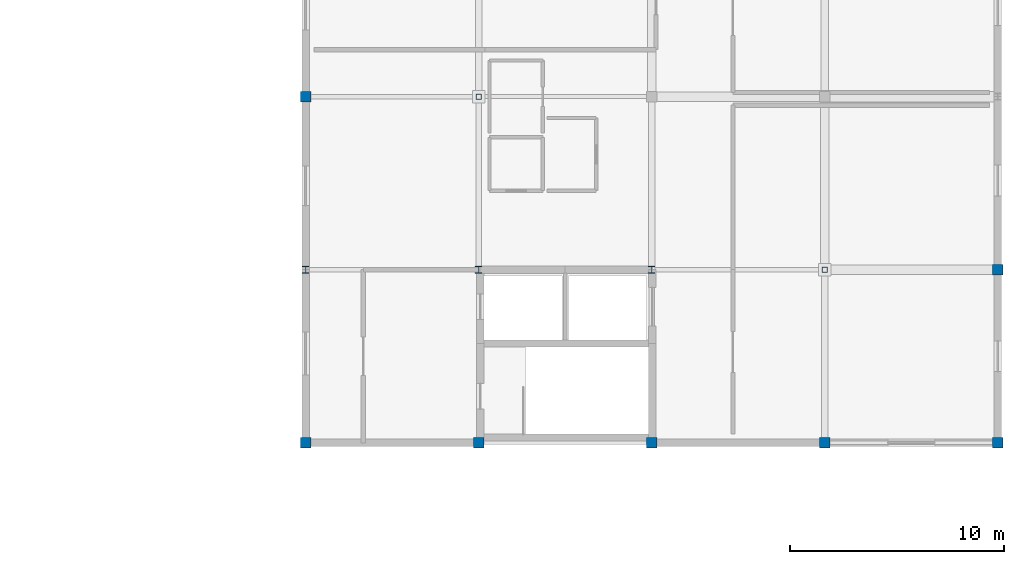
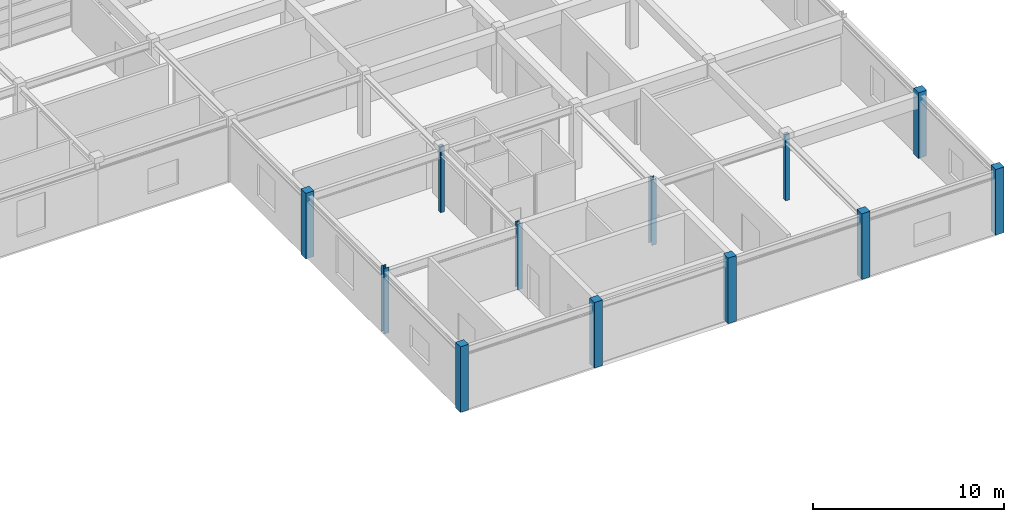
# One storey, part 3 of 19: 12 columns.
"""IFC4 building model written with IfcOpenShell, lengths in metres."""

from ifc_helpers import new_model, si_unit, direction, frame, origin, origin_2d, place, context, subcontext, project, spatial, rectangle, hollow_rectangle, i_section, extrude, material, material_profile, profile_set, type_object, element, save


model = new_model("IFC4")

# Units and contexts
model_context = context("Model", 3, precision=1e-05, world=origin(), true_north=direction((0.0, 1.0)))
body_context = subcontext(model_context, "Body", "Model", "MODEL_VIEW")
ifc_project = project(units=[si_unit("LENGTHUNIT", "METRE"), si_unit("AREAUNIT", "SQUARE_METRE"), si_unit("VOLUMEUNIT", "CUBIC_METRE"), si_unit("PLANEANGLEUNIT", "RADIAN"), si_unit("MASSUNIT", "GRAM", prefix="KILO")], contexts=[model_context])

# Site, building, storey
site_placement = place(None, origin())
site = spatial("IfcSite", under=ifc_project, at=site_placement, CompositionType="ELEMENT")
building_placement = place(site_placement, origin())
building = spatial("IfcBuilding", under=site, at=building_placement, Name="Parian Resonance Hall", CompositionType="ELEMENT")
storey_placement = place(building_placement, frame((0.0, 0.0, 23.39990234375)))
storey = spatial("IfcBuildingStorey", under=building, at=storey_placement, Name="L05", CompositionType="ELEMENT", Elevation=23.39990234375)

# Columns
ifc_material_1 = material(Name="Concrete C40/50", Category="concrete")
ifc_material_profile_1 = material_profile(ifc_material_1, rectangle(XDim=0.5, YDim=0.5, at=origin_2d()), Name="RC-COL-500x500")
ifc_profile_set_1 = profile_set([ifc_material_profile_1], Name="Concrete C40/50")
column_type_1 = type_object("IfcColumnType", Name="COL-RC500", PredefinedType="COLUMN", material=ifc_profile_set_1)
for number, where, z_axis, x_axis, name in (
    (1, (113.39990234375, 48.60009765625, 0.0), (0.0, 0.0, 1.0), (1.0, 0.0, 0.0), "Column G15-07 L05"),
    (2, (113.39990234375, 64.800048828125, 0.0), (0.0, 0.0, 1.0), (1.0, 0.0, 0.0), "Column G15-09 L05"),
    (3, (121.5, 48.60009765625, 0.0), (0.0, 0.0, 1.0), (1.0, 0.0, 0.0), "Column G16-07 L05"),
    (4, (129.60009765625, 48.60009765625, 0.0), (0.0, 0.0, 1.0), (1.0, 0.0, 0.0), "Column G17-07 L05"),
    (5, (137.699951171875, 48.60009765625, 0.0), (0.0, 0.0, 1.0), (1.0, 0.0, 0.0), "Column G18-07 L05"),
    (6, (145.800048828125, 48.60009765625, 0.0), (0.0, 0.0, 1.0), (1.0, 0.0, 0.0), "Column G19-07 L05"),
    (7, (145.800048828125, 56.699951171875, 0.0), (0.0, 0.0, 1.0), (1.0, 0.0, 0.0), "Column G19-08 L05"),
):
    element("IfcColumn", number, at=place(storey_placement, frame(where, z_axis=z_axis, x_axis=x_axis)), inside=storey, type_object=column_type_1, Name=name, PredefinedType="COLUMN", context=body_context, shape_type="SweptSolid", body=[
        extrude(rectangle(XDim=0.5, YDim=0.5, at=origin_2d()), origin(), (0.0, 0.0, 1.0), 4.2001953125),
    ])
ifc_material_2 = material(Name="Hollow structural steel S355", Category="steel")
ifc_material_profile_2 = material_profile(ifc_material_2, hollow_rectangle(XDim=0.25, YDim=0.25, WallThickness=0.012451171875, InnerFilletRadius=0.012451171875, OuterFilletRadius=0.02490234375, at=origin_2d()), Name="SHS250x250x12.5")
ifc_profile_set_2 = profile_set([ifc_material_profile_2], Name="Hollow structural steel S355")
column_type_2 = type_object("IfcColumnType", Name="COL-SHS250", PredefinedType="COLUMN", material=ifc_profile_set_2)
for number, where, z_axis, x_axis, name in (
    (8, (121.5, 64.800048828125, 0.0), (0.0, 0.0, 1.0), (1.0, 0.0, 0.0), "Column G16-09 L05"),
    (9, (137.699951171875, 56.699951171875, 0.0), (0.0, 0.0, 1.0), (1.0, 0.0, 0.0), "Column G18-08 L05"),
):
    element("IfcColumn", number, at=place(storey_placement, frame(where, z_axis=z_axis, x_axis=x_axis)), inside=storey, type_object=column_type_2, Name=name, PredefinedType="COLUMN", context=body_context, shape_type="SweptSolid", body=[
        extrude(hollow_rectangle(XDim=0.25, YDim=0.25, WallThickness=0.012451171875, InnerFilletRadius=0.012451171875, OuterFilletRadius=0.02490234375, at=origin_2d()), origin(), (0.0, 0.0, 1.0), 4.2001953125),
    ])
ifc_material_3 = material(Name="Steel S355", Category="steel")
ifc_material_profile_3 = material_profile(ifc_material_3, i_section(OverallWidth=0.304931640625, OverallDepth=0.30810546875, WebThickness=0.010009765625, FlangeThickness=0.015380859375, FilletRadius=0.01513671875, at=origin_2d()), Name="W310x97")
ifc_profile_set_3 = profile_set([ifc_material_profile_3], Name="Steel S355")
column_type_3 = type_object("IfcColumnType", Name="COL-W310", PredefinedType="COLUMN", material=ifc_profile_set_3)
for number, where, z_axis, x_axis, name in (
    (10, (113.39990234375, 56.699951171875, 0.0), (0.0, 0.0, 1.0), (1.0, 0.0, 0.0), "Column G15-08 L05"),
    (11, (121.5, 56.699951171875, 0.0), (0.0, 0.0, 1.0), (1.0, 0.0, 0.0), "Column G16-08 L05"),
    (12, (129.60009765625, 56.699951171875, 0.0), (0.0, 0.0, 1.0), (1.0, 0.0, 0.0), "Column G17-08 L05"),
):
    element("IfcColumn", number, at=place(storey_placement, frame(where, z_axis=z_axis, x_axis=x_axis)), inside=storey, type_object=column_type_3, Name=name, PredefinedType="COLUMN", context=body_context, shape_type="SweptSolid", body=[
        extrude(i_section(OverallWidth=0.304931640625, OverallDepth=0.30810546875, WebThickness=0.010009765625, FlangeThickness=0.015380859375, FilletRadius=0.01513671875, at=origin_2d()), origin(), (0.0, 0.0, 1.0), 4.2001953125),
    ])

save(model, "model.ifc")
